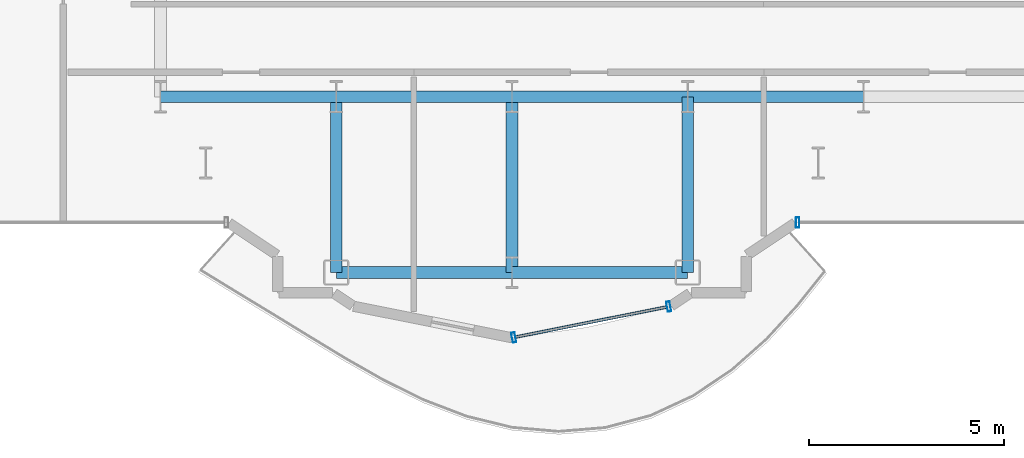
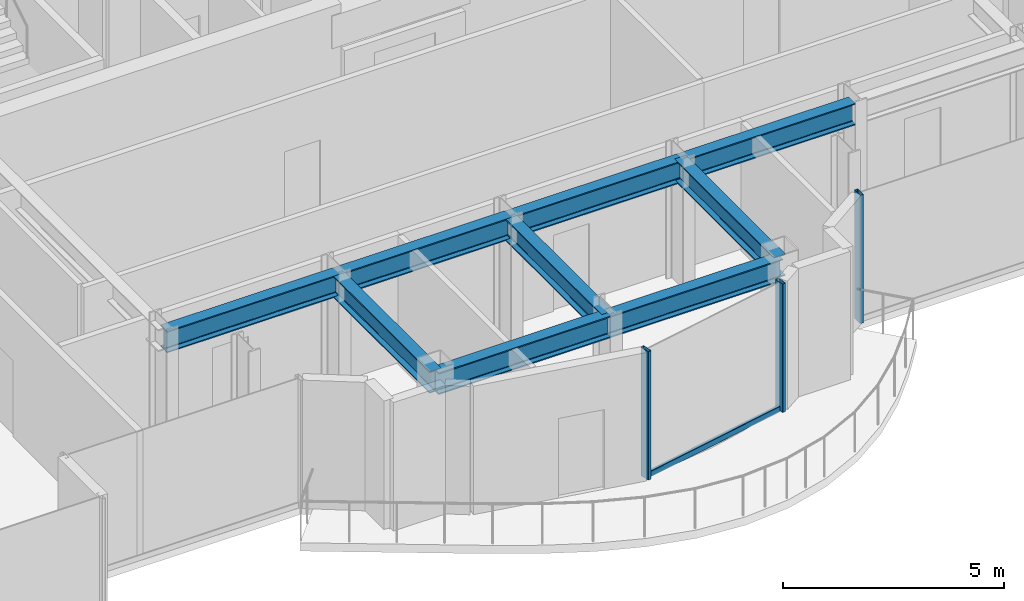
# One storey, part 3 of 22: 9 beams, 4 members, 2 elements without a shape of their own.
"""IFC4 building model written with IfcOpenShell, lengths in metres."""

from ifc_helpers import new_model, si_unit, direction, frame, origin, origin_2d, place, context, subcontext, project, spatial, hollow_rectangle, i_section, extrude, source, transform, mapped, material, layer, layer_set, material_profile, profile_set, type_object, element, aggregate, save


model = new_model("IFC4")

# Units and contexts
model_context = context("Model", 3, precision=1e-05, world=origin(), true_north=direction((0.0, 1.0)))
body_context = subcontext(model_context, "Body", "Model", "MODEL_VIEW")
ifc_project = project(units=[si_unit("LENGTHUNIT", "METRE"), si_unit("AREAUNIT", "SQUARE_METRE"), si_unit("VOLUMEUNIT", "CUBIC_METRE"), si_unit("PLANEANGLEUNIT", "RADIAN"), si_unit("MASSUNIT", "GRAM", prefix="KILO")], contexts=[model_context])

# Site, building, storey
site_placement = place(None, origin())
site = spatial("IfcSite", under=ifc_project, at=site_placement, CompositionType="ELEMENT")
building_placement = place(site_placement, origin())
building = spatial("IfcBuilding", under=site, at=building_placement, Name="Nefas-Gora Pilgrimage Tower", CompositionType="ELEMENT")
storey_placement = place(building_placement, frame((0.0, 0.0, 218.0)))
storey = spatial("IfcBuildingStorey", under=building, at=storey_placement, Name="L54", CompositionType="ELEMENT", Elevation=218.0)

# Beams
ifc_material_1 = material(Name="Steel S355", Category="steel")
ifc_material_profile_1 = material_profile(ifc_material_1, i_section(OverallWidth=0.300048828125, OverallDepth=0.60009765625, WebThickness=0.015380859375, FlangeThickness=0.030029296875, FilletRadius=0.027099609375, at=origin_2d()), Name="HEB 600")
ifc_profile_set_1 = profile_set([ifc_material_profile_1], Name="Steel S355")
beam_type = type_object("IfcBeamType", Name="BM-GIR-HEB600", PredefinedType="BEAM", material=ifc_profile_set_1)
shared_shape_1 = source(origin(), body_context, "Body", "SweptSolid", [
    extrude(i_section(OverallWidth=0.300048828125, OverallDepth=0.60009765625, WebThickness=0.015380859375, FlangeThickness=0.030029296875, FilletRadius=0.027099609375, at=origin_2d()), origin(), (0.0, 0.0, 1.0), 4.5),
])
for number, where, z_axis, x_axis, name in (
    (1, (-11.25, -18.0, 3.25), (1.0, 0.0, 0.0), (0.0, 1.0, 0.0), "L54 G-04 beam"),
    (2, (-6.75, -22.5, 3.25), (0.0, 1.0, 0.0), (-1.0, 0.0, 0.0), "L54 G-04 beam"),
    (3, (-6.75, -22.5, 3.25), (1.0, 0.0, 0.0), (0.0, 1.0, 0.0), "L54 G-04 beam"),
    (4, (-6.75, -18.0, 3.25), (1.0, 0.0, 0.0), (0.0, 1.0, 0.0), "L54 G-04 beam"),
    (5, (-2.25, -22.5, 3.25), (0.0, 1.0, 0.0), (-1.0, 0.0, 0.0), "L54 G-04 beam"),
    (6, (-2.25, -22.5, 3.25), (1.0, 0.0, 0.0), (0.0, 1.0, 0.0), "L54 G-04 beam"),
    (7, (-2.25, -18.0, 3.25), (1.0, 0.0, 0.0), (0.0, 1.0, 0.0), "L54 G-04 beam"),
    (8, (2.25, -22.5, 3.25), (0.0, 1.0, 0.0), (-1.0, 0.0, 0.0), "L54 G-04 beam"),
    (9, (2.25, -18.0, 3.25), (1.0, 0.0, 0.0), (0.0, 1.0, 0.0), "L54 G-04 beam"),
):
    element("IfcBeam", number, at=place(storey_placement, frame(where, z_axis=z_axis, x_axis=x_axis)), inside=storey, type_object=beam_type, Name=name, PredefinedType="BEAM", context=body_context, shape_type="MappedRepresentation", body=[
        mapped(shared_shape_1, transform((0.0, 0.0, 0.0), x_axis=(1.0, 0.0, 0.0), y_axis=(0.0, 1.0, 0.0), z_axis=(0.0, 0.0, 1.0), scale=1.0)),
    ])

# Curtain wall, member
ifc_material_2 = material(Name="Dark ceramic-fritted solar-control aluminium-glass curtain wall", Category="aluminium")
ifc_layer = layer(ifc_material_2, 0.219970703125)
ifc_layer_set = layer_set([ifc_layer], Name="Dark ceramic-fritted solar-control aluminium-glass curtain wall")
curtain_wall_type = type_object("IfcCurtainWallType", Name="CW-SYS-5", PredefinedType="NOTDEFINED", material=ifc_layer_set)
curtain_wall_1_placement = place(storey_placement, origin())
curtain_wall_1 = element("IfcCurtainWall", 10, at=curtain_wall_1_placement, inside=storey, type_object=curtain_wall_type, Name="L54 Unitised Curtain Wall CW5", PredefinedType="NOTDEFINED")
ifc_material_3 = material(Name="Anodised architectural aluminium", Category="aluminium")
ifc_material_profile_2 = material_profile(ifc_material_3, hollow_rectangle(XDim=0.090087890625, YDim=0.260009765625, WallThickness=0.006103515625, InnerFilletRadius=0.006103515625, OuterFilletRadius=0.011962890625, at=origin_2d()), Name="ALU MULLION 90x260")
ifc_profile_set_2 = profile_set([ifc_material_profile_2], Name="Anodised architectural aluminium")
member_type_1 = type_object("IfcMemberType", Name="CWM-MUL-5", PredefinedType="MULLION", material=ifc_profile_set_2)
shared_shape_2 = source(origin(), body_context, "Body", "SweptSolid", [
    extrude(hollow_rectangle(XDim=0.090087890625, YDim=0.260009765625, WallThickness=0.006103515625, InnerFilletRadius=0.006103515625, OuterFilletRadius=0.011962890625, at=origin_2d()), origin(), (0.0, 0.0, 1.0), 3.550048828125),
])
member_1_placement = place(storey_placement, frame((5.06298828125, -21.219970703125, 0.0), z_axis=(0.0, 0.0, 1.0), x_axis=(1.0, 0.0, 0.0)))
member_1 = element("IfcMember", 11, at=member_1_placement, type_object=member_type_1, Name="CW5 Mullion 1", PredefinedType="MULLION", context=body_context, shape_type="MappedRepresentation", body=[
    mapped(shared_shape_2, transform((0.0, 0.0, 0.0), x_axis=(1.0, 0.0, 0.0), y_axis=(0.0, 1.0, 0.0), z_axis=(0.0, 0.0, 1.0), scale=1.0)),
])
aggregate(curtain_wall_1, [member_1])

# Curtain wall, members
curtain_wall_2_placement = place(storey_placement, origin())
curtain_wall_2 = element("IfcCurtainWall", 12, at=curtain_wall_2_placement, inside=storey, type_object=curtain_wall_type, Name="L54 Unitised Curtain Wall CW5", PredefinedType="NOTDEFINED")
member_2_placement = place(storey_placement, frame((-2.205810546875, -24.16357421875, 0.0), z_axis=(0.0, 0.0, 1.0), x_axis=(0.980782896852, 0.195102304554, 0.0)))
member_2 = element("IfcMember", 13, at=member_2_placement, type_object=member_type_1, Name="CW5 Mullion 1", PredefinedType="MULLION", context=body_context, shape_type="MappedRepresentation", body=[
    mapped(shared_shape_2, transform((0.0, 0.0, 0.0), x_axis=(1.0, 0.0, 0.0), y_axis=(0.0, 1.0, 0.0), z_axis=(0.0, 0.0, 1.0), scale=1.0)),
])
member_3_placement = place(storey_placement, frame((1.76318359375, -23.3740234375, 0.0), z_axis=(0.0, 0.0, 1.0), x_axis=(0.980782896852, 0.195102304554, 0.0)))
member_3 = element("IfcMember", 14, at=member_3_placement, type_object=member_type_1, Name="CW5 Mullion 2", PredefinedType="MULLION", context=body_context, shape_type="MappedRepresentation", body=[
    mapped(shared_shape_2, transform((0.0, 0.0, 0.0), x_axis=(1.0, 0.0, 0.0), y_axis=(0.0, 1.0, 0.0), z_axis=(0.0, 0.0, 1.0), scale=1.0)),
])
ifc_material_profile_3 = material_profile(ifc_material_3, hollow_rectangle(XDim=0.080078125, YDim=0.159912109375, WallThickness=0.00439453125, InnerFilletRadius=0.00439453125, OuterFilletRadius=0.009033203125, at=origin_2d()), Name="ALU TRANSOM 80x160")
ifc_profile_set_3 = profile_set([ifc_material_profile_3], Name="Anodised architectural aluminium")
member_type_2 = type_object("IfcMemberType", Name="CWM-TRN-5", PredefinedType="USERDEFINED", material=ifc_profile_set_3)
shared_shape_3 = source(origin(), body_context, "Body", "SweptSolid", [
    extrude(hollow_rectangle(XDim=0.080078125, YDim=0.159912109375, WallThickness=0.00439453125, InnerFilletRadius=0.00439453125, OuterFilletRadius=0.009033203125, at=origin_2d()), origin(), (0.0, 0.0, 1.0), 3.95654296875),
])
member_4_placement = place(storey_placement, frame((-2.16162109375, -24.15478515625, 0.050048828125), z_axis=(0.980781880918, 0.195107411605, 0.0), x_axis=(-0.195107411605, 0.980781880918, 0.0)))
member_4 = element("IfcMember", 15, at=member_4_placement, type_object=member_type_2, Name="CW5 Spandrel Transom", ObjectType="TRANSOM", PredefinedType="USERDEFINED", context=body_context, shape_type="MappedRepresentation", body=[
    mapped(shared_shape_3, transform((0.0, 0.0, 0.0), x_axis=(1.0, 0.0, 0.0), y_axis=(0.0, 1.0, 0.0), z_axis=(0.0, 0.0, 1.0), scale=1.0)),
])
aggregate(curtain_wall_2, [member_2, member_3, member_4])

save(model, "model.ifc")
